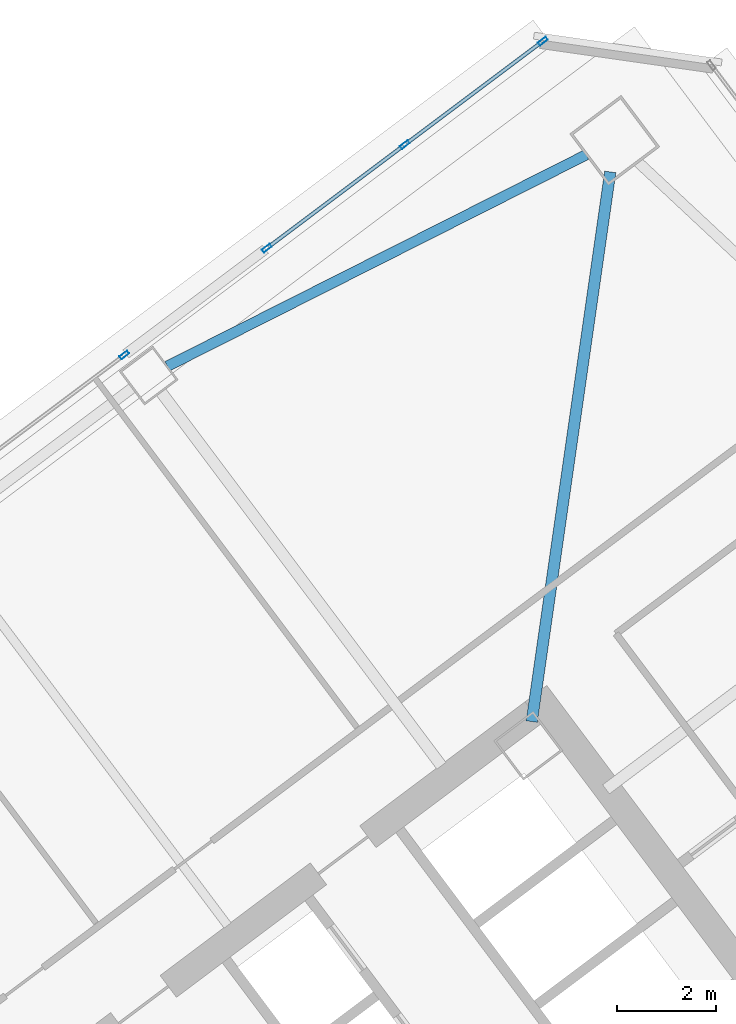
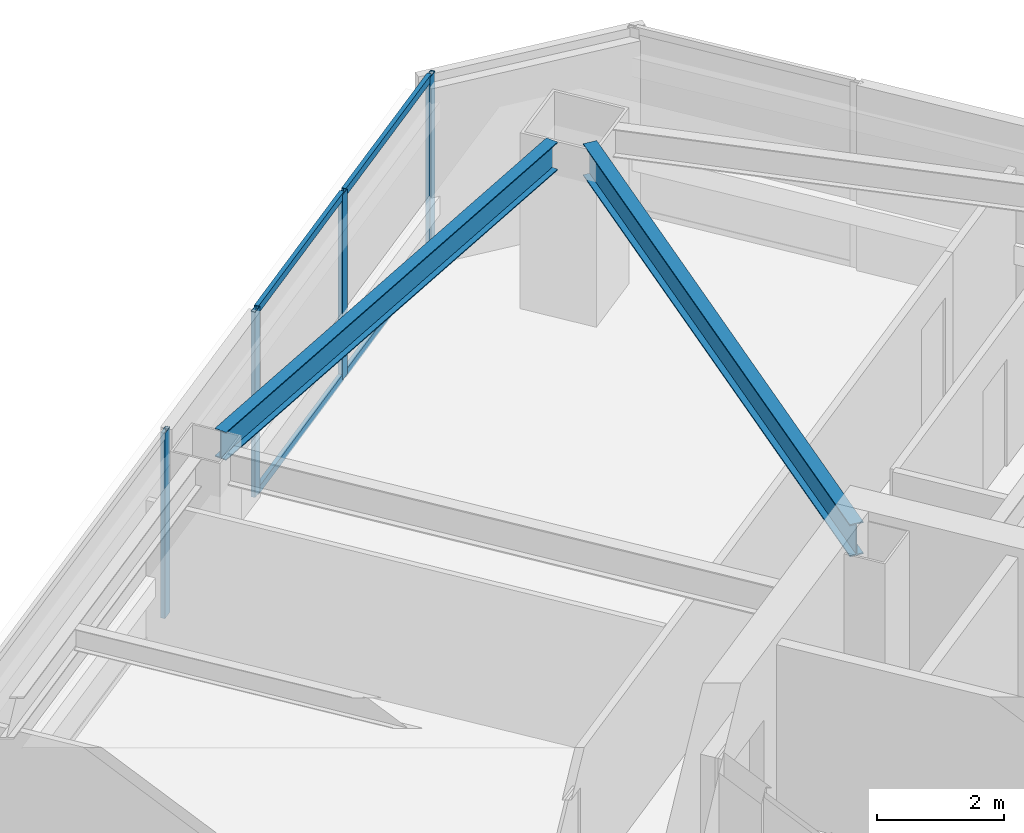
# One storey, part 30 of 46: 8 members, 2 beams, 2 elements without a shape of their own.
"""IFC4 building model written with IfcOpenShell, lengths in metres."""

from ifc_helpers import new_model, si_unit, direction, frame, origin, origin_2d, place, context, subcontext, project, spatial, hollow_rectangle, i_section, extrude, material, material_profile, profile_set, type_object, element, aggregate, save


model = new_model("IFC4")

# Units and contexts
model_context = context("Model", 3, precision=1e-05, world=origin(), true_north=direction((0.0, 1.0)))
body_context = subcontext(model_context, "Body", "Model", "MODEL_VIEW")
ifc_project = project(units=[si_unit("LENGTHUNIT", "METRE"), si_unit("AREAUNIT", "SQUARE_METRE"), si_unit("VOLUMEUNIT", "CUBIC_METRE"), si_unit("PLANEANGLEUNIT", "RADIAN"), si_unit("MASSUNIT", "GRAM", prefix="KILO")], contexts=[model_context])

# Site, building, storey
site_placement = place(None, origin())
site = spatial("IfcSite", under=ifc_project, at=site_placement, CompositionType="ELEMENT")
building_placement = place(site_placement, origin())
building = spatial("IfcBuilding", under=site, at=building_placement, Name="Tashvorn Skyway Center", CompositionType="ELEMENT")
storey_placement = place(building_placement, frame((0.0, 0.0, 132.14990234375)))
storey = spatial("IfcBuildingStorey", under=building, at=storey_placement, Name="L35", CompositionType="ELEMENT", Elevation=132.14990234375)

# Beams
ifc_material_1 = material(Name="Steel ASTM A992 Grade 50", Category="steel")
ifc_material_profile_1 = material_profile(ifc_material_1, i_section(OverallWidth=0.22998046875, OverallDepth=0.616943359375, WebThickness=0.01318359375, FlangeThickness=0.022216796875, at=origin_2d()), Name="W24X94")
ifc_profile_set_1 = profile_set([ifc_material_profile_1], Name="Steel ASTM A992 Grade 50")
beam_type_1 = type_object("IfcBeamType", Name="BM-BEAM-W24X94", PredefinedType="BEAM", material=ifc_profile_set_1)
beam_1_placement = place(storey_placement, frame((117.06884765625, 53.4814453125, 3.0615234375), z_axis=(-0.141430483583, -0.989948189712, 0.0), x_axis=(0.989948189712, -0.141430483583, 0.0)))
element("IfcBeam", 1, at=beam_1_placement, inside=storey, type_object=beam_type_1, Name="Tower 2 L35 Primary Floor Girder MC-NE", PredefinedType="BEAM", context=body_context, shape_type="SweptSolid", body=[
    extrude(i_section(OverallWidth=0.22998046875, OverallDepth=0.616943359375, WebThickness=0.01318359375, FlangeThickness=0.022216796875, at=origin_2d()), origin(), (0.0, 0.0, 1.0), 11.234375),
])
ifc_material_profile_2 = material_profile(ifc_material_1, i_section(OverallWidth=0.2109375, OverallDepth=0.5390625, WebThickness=0.01171875, FlangeThickness=0.018798828125, at=origin_2d()), Name="W21X73")
ifc_profile_set_2 = profile_set([ifc_material_profile_2], Name="Steel ASTM A992 Grade 50")
beam_type_2 = type_object("IfcBeamType", Name="BM-SPANDREL-W21X73", PredefinedType="SPANDREL", material=ifc_profile_set_2)
beam_2_placement = place(storey_placement, frame((116.584228515625, 53.829345703125, 3.1005859375), z_axis=(-0.892719124217, -0.450613543136, 0.0), x_axis=(0.450613543136, -0.892719124217, 0.0)))
element("IfcBeam", 2, at=beam_2_placement, inside=storey, type_object=beam_type_2, Name="Tower 2 L35 Spandrel Beam 07", PredefinedType="SPANDREL", context=body_context, shape_type="SweptSolid", body=[
    extrude(i_section(OverallWidth=0.2109375, OverallDepth=0.5390625, WebThickness=0.01171875, FlangeThickness=0.018798828125, at=origin_2d()), origin(), (0.0, 0.0, 1.0), 9.498291015625),
])

# Curtain wall, member
ifc_material_2 = material(Name="Thermally broken bronze-anodized aluminium 6063-T6", Category="aluminium")
curtain_wall_type = type_object("IfcCurtainWallType", Name="CW-CW-Z3", PredefinedType="NOTDEFINED", material=ifc_material_2)
curtain_wall_1_placement = place(storey_placement, origin())
curtain_wall_1 = element("IfcCurtainWall", 3, at=curtain_wall_1_placement, inside=storey, type_object=curtain_wall_type, Name="Tower 2 L35 North Unitised Curtain Wall Glazing Group 2", PredefinedType="NOTDEFINED")
ifc_material_profile_3 = material_profile(ifc_material_2, hollow_rectangle(XDim=0.074951171875, YDim=0.199951171875, WallThickness=0.00439453125, at=origin_2d()), Name="ALU-MULL-75x200")
ifc_profile_set_3 = profile_set([ifc_material_profile_3], Name="Thermally broken bronze-anodized aluminium 6063-T6")
member_type_1 = type_object("IfcMemberType", Name="CWM-CW-Z3", PredefinedType="MULLION", material=ifc_profile_set_3)
member_1_placement = place(storey_placement, frame((107.23681640625, 49.777587890625, 0.0), z_axis=(0.0, 0.0, 1.0), x_axis=(-0.599996977339, 0.800002266987, 0.0)))
member_1 = element("IfcMember", 4, at=member_1_placement, type_object=member_type_1, Name="CW-Z3 mullion 2", PredefinedType="MULLION", context=body_context, shape_type="SweptSolid", body=[
    extrude(hollow_rectangle(XDim=0.074951171875, YDim=0.199951171875, WallThickness=0.00439453125, at=origin_2d()), origin(), (0.0, 0.0, 1.0), 3.550048828125),
])
aggregate(curtain_wall_1, [member_1])

# Curtain wall, members
curtain_wall_2_placement = place(storey_placement, origin())
curtain_wall_2 = element("IfcCurtainWall", 5, at=curtain_wall_2_placement, inside=storey, type_object=curtain_wall_type, Name="Tower 2 L35 North Unitised Curtain Wall Glazing Group 3", PredefinedType="NOTDEFINED")
member_2_placement = place(storey_placement, frame((110.119873046875, 51.939697265625, 0.0), z_axis=(0.0, 0.0, 1.0), x_axis=(-0.600004533995, 0.799996599484, 0.0)))
member_2 = element("IfcMember", 6, at=member_2_placement, type_object=member_type_1, Name="CW-Z3 mullion 1", PredefinedType="MULLION", context=body_context, shape_type="SweptSolid", body=[
    extrude(hollow_rectangle(XDim=0.074951171875, YDim=0.199951171875, WallThickness=0.00439453125, at=origin_2d()), origin(), (0.0, 0.0, 1.0), 3.550048828125),
])
member_3_placement = place(storey_placement, frame((112.912841796875, 54.03466796875, 0.0), z_axis=(0.0, 0.0, 1.0), x_axis=(-0.600004533995, 0.799996599484, 0.0)))
member_3 = element("IfcMember", 7, at=member_3_placement, type_object=member_type_1, Name="CW-Z3 mullion 2", PredefinedType="MULLION", context=body_context, shape_type="SweptSolid", body=[
    extrude(hollow_rectangle(XDim=0.074951171875, YDim=0.199951171875, WallThickness=0.00439453125, at=origin_2d()), origin(), (0.0, 0.0, 1.0), 3.550048828125),
])
member_4_placement = place(storey_placement, frame((115.7060546875, 56.12939453125, 0.0), z_axis=(0.0, 0.0, 1.0), x_axis=(-0.600004533995, 0.799996599484, 0.0)))
member_4 = element("IfcMember", 8, at=member_4_placement, type_object=member_type_1, Name="CW-Z3 mullion 3", PredefinedType="MULLION", context=body_context, shape_type="SweptSolid", body=[
    extrude(hollow_rectangle(XDim=0.074951171875, YDim=0.199951171875, WallThickness=0.00439453125, at=origin_2d()), origin(), (0.0, 0.0, 1.0), 3.550048828125),
])
ifc_material_profile_4 = material_profile(ifc_material_2, hollow_rectangle(XDim=0.074951171875, YDim=0.139892578125, WallThickness=0.004150390625, at=origin_2d()), Name="ALU-TRAN-75x140")
ifc_profile_set_4 = profile_set([ifc_material_profile_4], Name="Thermally broken bronze-anodized aluminium 6063-T6")
member_type_2 = type_object("IfcMemberType", Name="CWT-CW-Z3", PredefinedType="USERDEFINED", material=ifc_profile_set_4)
member_5_placement = place(storey_placement, frame((110.14990234375, 51.96240234375, 0.03759765625), z_axis=(0.799982847995, 0.600022868659, 0.0), x_axis=(-0.600022868659, 0.799982847995, 0.0)))
member_5 = element("IfcMember", 9, at=member_5_placement, type_object=member_type_2, Name="CW-Z3 transom 1.1", ObjectType="TRANSOM", PredefinedType="USERDEFINED", context=body_context, shape_type="SweptSolid", body=[
    extrude(hollow_rectangle(XDim=0.074951171875, YDim=0.139892578125, WallThickness=0.004150390625, at=origin_2d()), origin(), (0.0, 0.0, 1.0), 3.416259765625),
])
member_6_placement = place(storey_placement, frame((110.14990234375, 51.96240234375, 3.5126953125), z_axis=(0.799982847995, 0.600022868659, 0.0), x_axis=(-0.600022868659, 0.799982847995, 0.0)))
member_6 = element("IfcMember", 10, at=member_6_placement, type_object=member_type_2, Name="CW-Z3 transom 1.2", ObjectType="TRANSOM", PredefinedType="USERDEFINED", context=body_context, shape_type="SweptSolid", body=[
    extrude(hollow_rectangle(XDim=0.074951171875, YDim=0.139892578125, WallThickness=0.004150390625, at=origin_2d()), origin(), (0.0, 0.0, 1.0), 3.416259765625),
])
member_7_placement = place(storey_placement, frame((112.94287109375, 54.05712890625, 0.03759765625), z_axis=(0.800008575267, 0.59998856614, 0.0), x_axis=(-0.59998856614, 0.800008575267, 0.0)))
member_7 = element("IfcMember", 11, at=member_7_placement, type_object=member_type_2, Name="CW-Z3 transom 2.1", ObjectType="TRANSOM", PredefinedType="USERDEFINED", context=body_context, shape_type="SweptSolid", body=[
    extrude(hollow_rectangle(XDim=0.074951171875, YDim=0.139892578125, WallThickness=0.004150390625, at=origin_2d()), origin(), (0.0, 0.0, 1.0), 3.41650390625),
])
member_8_placement = place(storey_placement, frame((112.94287109375, 54.05712890625, 3.5126953125), z_axis=(0.800008575267, 0.59998856614, 0.0), x_axis=(-0.59998856614, 0.800008575267, 0.0)))
member_8 = element("IfcMember", 12, at=member_8_placement, type_object=member_type_2, Name="CW-Z3 transom 2.2", ObjectType="TRANSOM", PredefinedType="USERDEFINED", context=body_context, shape_type="SweptSolid", body=[
    extrude(hollow_rectangle(XDim=0.074951171875, YDim=0.139892578125, WallThickness=0.004150390625, at=origin_2d()), origin(), (0.0, 0.0, 1.0), 3.41650390625),
])
aggregate(curtain_wall_2, [member_2, member_3, member_4, member_5, member_6, member_7, member_8])

save(model, "model.ifc")
